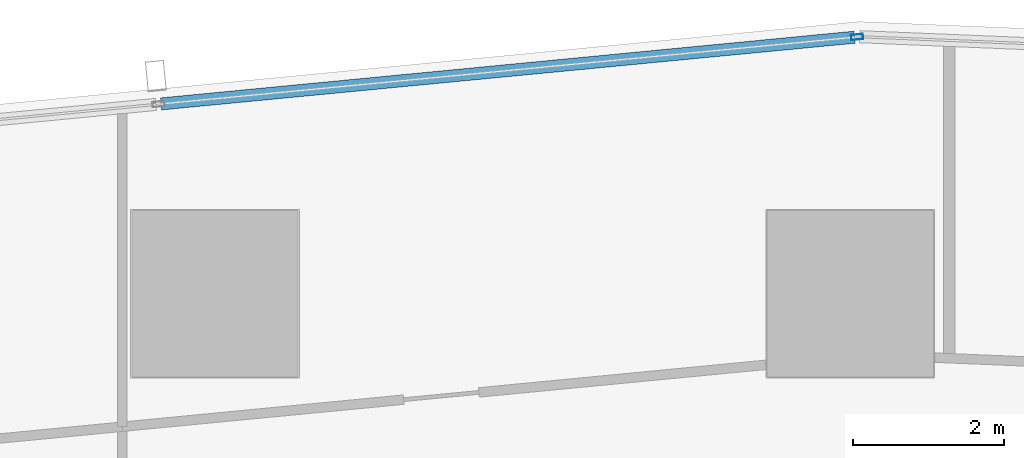
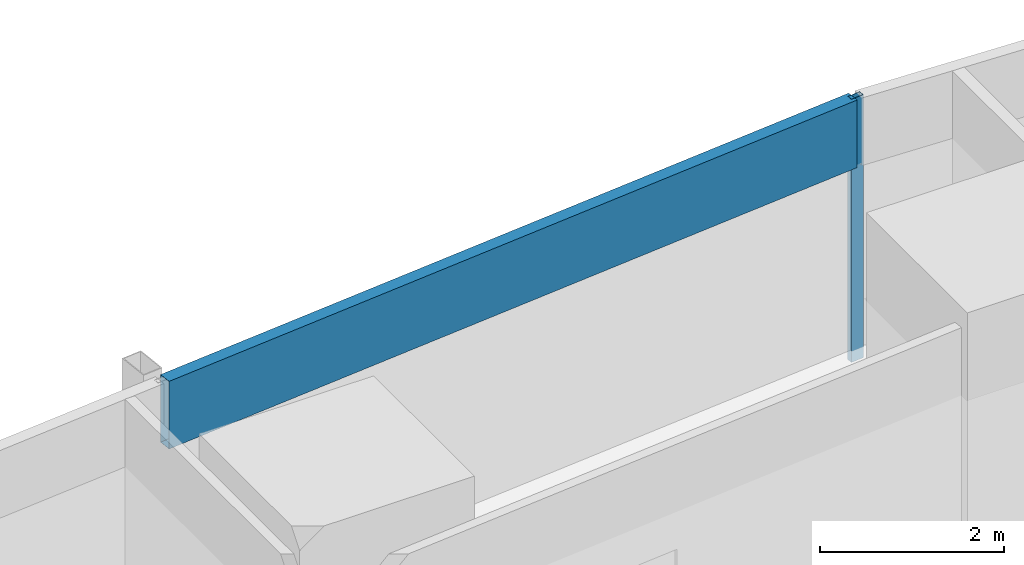
# One storey, part 17 of 45: 2 members, 1 element without a shape of its own.
"""IFC4 building model written with IfcOpenShell, lengths in metres."""

import ifcopenshell
import ifcopenshell.guid

model = None  # the IFC model being written
_history = None  # IfcOwnerHistory: only IFC2X3 demands one
_inside = {}  # id of a spatial element -> (the spatial element, [elements in it])
_under = {}  # id of a project, library or spatial element -> (it, [spatial elements below it])
_declared = {}  # id of a project -> (the project, [libraries it declares])
_typed = {}  # id of a type object -> (the type object, [elements of that type])
_made_of = {}  # id of a material, layer set ... -> (it, [elements and type objects made of it])


def new_model(schema):
    """Start an empty IFC model of exactly this schema.

    Asked for "IFC4X3", IfcOpenShell would pick the latest addendum, in which some entities
    have other attributes; the version numbers below select the first issue.
    IFC2X3 requires an IfcOwnerHistory on every rooted entity: one is made here for all.
    """
    global model, _history
    if schema == "IFC4X3":
        model = ifcopenshell.file(schema_version=(4, 3, 0, 0))
    else:
        model = ifcopenshell.file(schema=schema)
    _inside.clear()
    _under.clear()
    _declared.clear()
    _typed.clear()
    _made_of.clear()
    _history = None
    if model.schema == "IFC2X3":
        org = make("IfcOrganization", Name="unknown")
        user = make(
            "IfcPersonAndOrganization",
            ThePerson=make("IfcPerson", FamilyName="unknown"),
            TheOrganization=org,
        )
        app = make(
            "IfcApplication",
            ApplicationDeveloper=org,
            Version="unknown",
            ApplicationFullName="unknown",
            ApplicationIdentifier="unknown",
        )
        _history = make(
            "IfcOwnerHistory",
            OwningUser=user,
            OwningApplication=app,
            ChangeAction="ADDED",
            CreationDate=0,
        )
    return model


def make(cls, **values):
    """One entity of the class cls with the attributes given. An attribute that is None is left unset."""
    return model.create_entity(
        cls, **{name: value for name, value in values.items() if value is not None}
    )


def rooted(cls, **values):
    """An entity with a GlobalId (a new one), such as an element, a storey or a relation."""
    return make(cls, GlobalId=ifcopenshell.guid.new(), OwnerHistory=_history, **values)


def si_unit(unit_type, name, prefix=None):
    """IfcSIUnit, for example si_unit("LENGTHUNIT", "METRE", prefix="MILLI")."""
    return make("IfcSIUnit", UnitType=unit_type, Prefix=prefix, Name=name)


def assignment(units):
    """IfcUnitAssignment: the units of a project."""
    return None if units is None else make("IfcUnitAssignment", Units=units)


def point(xyz):
    """IfcCartesianPoint."""
    return None if xyz is None else make("IfcCartesianPoint", Coordinates=xyz)


def direction(xyz):
    """IfcDirection."""
    return None if xyz is None else make("IfcDirection", DirectionRatios=xyz)


def frame(location, z_axis=None, x_axis=None):
    """IfcAxis2Placement3D, a coordinate frame: its origin and axes. An axis left out is left unset."""
    return make(
        "IfcAxis2Placement3D",
        Location=point(location),
        Axis=direction(z_axis),
        RefDirection=direction(x_axis),
    )


def frame_2d(location, x_axis=None):
    """IfcAxis2Placement2D, a coordinate frame in the plane: its origin and x axis."""
    return make(
        "IfcAxis2Placement2D", Location=point(location), RefDirection=direction(x_axis)
    )


def origin():
    """The frame at (0, 0, 0) with its axes left unset."""
    return frame((0.0, 0.0, 0.0))


def origin_2d():
    """The frame at (0, 0) in the plane with its x axis left unset."""
    return frame_2d((0.0, 0.0))


def place(relative_to, where):
    """IfcLocalPlacement: puts the frame where relative to a parent placement (None: the world)."""
    return make(
        "IfcLocalPlacement", PlacementRelTo=relative_to, RelativePlacement=where
    )


def context(
    kind, dimensions, precision=None, world=None, true_north=None, identifier=None
):
    """IfcGeometricRepresentationContext, for example the 3D "Model" context."""
    return make(
        "IfcGeometricRepresentationContext",
        ContextIdentifier=identifier,
        ContextType=kind,
        CoordinateSpaceDimension=dimensions,
        Precision=precision,
        WorldCoordinateSystem=world,
        TrueNorth=true_north,
    )


def subcontext(parent, identifier, kind, view, scale=None):
    """IfcGeometricRepresentationSubContext, for example "Body" below "Model"."""
    return make(
        "IfcGeometricRepresentationSubContext",
        ContextIdentifier=identifier,
        ContextType=kind,
        ParentContext=parent,
        TargetScale=scale,
        TargetView=view,
    )


def project(units=None, contexts=None):
    """IfcProject with its units and contexts."""
    return rooted(
        "IfcProject",
        Name="project",
        RepresentationContexts=contexts,
        UnitsInContext=assignment(units),
    )


def spatial(cls, under=None, at=None, **own):
    """A site, building, storey or space (cls), placed at a placement, below another one or the project."""
    s = rooted(cls, ObjectPlacement=at, **own)
    if under is not None:
        _under.setdefault(under.id(), (under, []))[1].append(s)
    return s


def profile(cls, at=None, kind="AREA", **sizes):
    """A parametric profile (cls). Its sizes go by their IFC names, for example OverallWidth=200.0."""
    return make(cls, ProfileType=kind, Position=at, **sizes)


def hollow_rectangle(**sizes):
    """IfcRectangleHollowProfileDef."""
    return profile("IfcRectangleHollowProfileDef", **sizes)


def extrude(swept, where, along, depth):
    """IfcExtrudedAreaSolid: the profile swept, set in the frame where, extruded along a direction by depth."""
    return make(
        "IfcExtrudedAreaSolid",
        SweptArea=swept,
        Position=where,
        ExtrudedDirection=direction(along),
        Depth=depth,
    )


def shape(context_of_items, identifier, shape_type, items):
    """IfcShapeRepresentation: the items that make up one representation, for example the "Body"."""
    return make(
        "IfcShapeRepresentation",
        ContextOfItems=context_of_items,
        RepresentationIdentifier=identifier,
        RepresentationType=shape_type,
        Items=items,
    )


def material(Name=None, Category=None):
    """IfcMaterial."""
    return make("IfcMaterial", Name=Name, Category=Category)


def material_profile(
    of_material, cross_section, Name=None, Category=None, Priority=None
):
    """IfcMaterialProfile: a cross section and its material."""
    return make(
        "IfcMaterialProfile",
        Name=Name,
        Material=of_material,
        Profile=cross_section,
        Priority=Priority,
        Category=Category,
    )


def profile_set(profiles, Name=None, composite=None):
    """IfcMaterialProfileSet."""
    return make(
        "IfcMaterialProfileSet",
        Name=Name,
        MaterialProfiles=profiles,
        CompositeProfile=composite,
    )


def made_of(thing, what):
    """Note that an element or type object is made of a material, layer set ...; save() writes the relation."""
    if what is not None:
        _made_of.setdefault(what.id(), (what, []))[1].append(thing)
    return thing


def type_object(cls, material=None, **own):
    """A type object (cls), such as IfcWallType, which elements share."""
    return made_of(rooted(cls, **own), material)


def element(
    cls,
    number,
    at=None,
    inside=None,
    cuts=None,
    type_object=None,
    material=None,
    context=None,
    identifier="Body",
    shape_type=None,
    held_by="IfcProductDefinitionShape",
    body=None,
    shapes=None,
    **own,
):
    """One element of the class cls, such as IfcWall. Its Tag is "e" and its number.

    at: its placement. inside: the storey or other place that contains it. cuts: it is an
    opening in that element (IfcRelVoidsElement). A single representation is given by context,
    identifier, shape_type and body (its items); several are given by shapes. held_by: the class
    of the entity that holds the representations. save() writes the other relations.
    """
    e = rooted(cls, Tag="e%d" % number, ObjectPlacement=at, **own)
    if body is not None:
        shapes = [shape(context, identifier, shape_type, body)]
    if shapes is not None:
        e.Representation = make(held_by, Representations=shapes)
    if inside is not None:
        _inside.setdefault(inside.id(), (inside, []))[1].append(e)
    if cuts is not None:
        rooted(
            "IfcRelVoidsElement", RelatingBuildingElement=cuts, RelatedOpeningElement=e
        )
    if type_object is not None:
        _typed.setdefault(type_object.id(), (type_object, []))[1].append(e)
    return made_of(e, material)


def aggregate(whole, parts):
    """IfcRelAggregates: a whole, such as a stair, and the parts it consists of."""
    return rooted("IfcRelAggregates", RelatingObject=whole, RelatedObjects=parts)


def save(model, path):
    """Write the relations noted so far, then the file.

    IfcRelAggregates (storeys below a building ...), IfcRelContainedInSpatialStructure (elements
    in a storey), IfcRelDefinesByType, IfcRelAssociatesMaterial and IfcRelDeclares: one each for
    every whole, place, type object, material and project.
    """
    for whole, parts in _under.values():
        aggregate(whole, parts)
    for where, things in _inside.values():
        rooted(
            "IfcRelContainedInSpatialStructure",
            RelatedElements=things,
            RelatingStructure=where,
        )
    for kind, things in _typed.values():
        rooted("IfcRelDefinesByType", RelatedObjects=things, RelatingType=kind)
    for what, things in _made_of.values():
        rooted("IfcRelAssociatesMaterial", RelatedObjects=things, RelatingMaterial=what)
    for by, libraries in _declared.values():
        rooted("IfcRelDeclares", RelatingContext=by, RelatedDefinitions=libraries)
    model.write(path)


model = new_model("IFC4")

# Units and contexts
model_context = context("Model", 3, precision=1e-05, world=origin(), true_north=direction((0.0, 1.0)))
body_context = subcontext(model_context, "Body", "Model", "MODEL_VIEW")
ifc_project = project(units=[si_unit("LENGTHUNIT", "METRE"), si_unit("AREAUNIT", "SQUARE_METRE"), si_unit("VOLUMEUNIT", "CUBIC_METRE"), si_unit("PLANEANGLEUNIT", "RADIAN"), si_unit("MASSUNIT", "GRAM", prefix="KILO")], contexts=[model_context])

# Site, building, storey
site_placement = place(None, origin())
site = spatial("IfcSite", under=ifc_project, at=site_placement, CompositionType="ELEMENT")
building_placement = place(site_placement, origin())
building = spatial("IfcBuilding", under=site, at=building_placement, Name="Rekha Terrace Tower", CompositionType="ELEMENT")
storey_placement = place(building_placement, frame((0.0, 0.0, 44.14990234375)))
storey = spatial("IfcBuildingStorey", under=building, at=storey_placement, Name="L10", CompositionType="ELEMENT", Elevation=44.14990234375)

# Curtain wall, members
ifc_material_1 = material(Name="Aluminium framing", Category="aluminium")
curtain_wall_type = type_object("IfcCurtainWallType", Name="CW3 north unitised glazing", PredefinedType="USERDEFINED", material=ifc_material_1)
curtain_wall_placement = place(storey_placement, origin())
curtain_wall = element("IfcCurtainWall", 1, at=curtain_wall_placement, inside=storey, type_object=curtain_wall_type, Name="CW3 unitised curtain wall", ObjectType="UNITISED CURTAIN WALL", PredefinedType="USERDEFINED")
ifc_material_2 = material(Name="Aluminium mullion section", Category="aluminium")
ifc_material_profile_1 = material_profile(ifc_material_2, hollow_rectangle(XDim=0.070068359375, YDim=0.159912109375, WallThickness=0.00390625, at=origin_2d()), Name="AL RHS 70x160")
ifc_profile_set_1 = profile_set([ifc_material_profile_1], Name="Aluminium mullion section")
member_type_1 = type_object("IfcMemberType", Name="CW3 mullion RHS 70 x 160", PredefinedType="MULLION", material=ifc_profile_set_1)
member_1_placement = place(storey_placement, frame((25.29052734375, 62.1962890625, 0.0), z_axis=(0.0, 0.0, 1.0), x_axis=(0.095712406625, -0.995409029102, 0.0)))
member_1 = element("IfcMember", 2, at=member_1_placement, type_object=member_type_1, Name="CW3 mullion 1", PredefinedType="MULLION", context=body_context, shape_type="SweptSolid", body=[
    extrude(hollow_rectangle(XDim=0.070068359375, YDim=0.159912109375, WallThickness=0.00390625, at=origin_2d()), origin(), (0.0, 0.0, 1.0), 3.5),
])
ifc_material_3 = material(Name="Insulated aluminium spandrel box", Category="aluminium")
ifc_material_profile_2 = material_profile(ifc_material_3, hollow_rectangle(XDim=0.159912109375, YDim=0.89990234375, WallThickness=0.0029296875, at=origin_2d()), Name="AL SPANDREL BOX 160x900")
ifc_profile_set_2 = profile_set([ifc_material_profile_2], Name="Insulated aluminium spandrel box")
member_type_2 = type_object("IfcMemberType", Name="CW3 spandrel transom 160 x 900", PredefinedType="USERDEFINED", material=ifc_profile_set_2)
member_2_placement = place(storey_placement, frame((25.255859375, 62.19287109375, 3.050048828125), z_axis=(-0.995408446287, -0.095718467713, 0.0), x_axis=(0.095718467713, -0.995408446287, 0.0)))
member_2 = element("IfcMember", 3, at=member_2_placement, type_object=member_type_2, Name="CW3 spandrel transom 1", ObjectType="TRANSOM", PredefinedType="USERDEFINED", context=body_context, shape_type="SweptSolid", body=[
    extrude(hollow_rectangle(XDim=0.159912109375, YDim=0.89990234375, WallThickness=0.0029296875, at=origin_2d()), origin(), (0.0, 0.0, 1.0), 9.210205078125),
])
aggregate(curtain_wall, [member_1, member_2])

save(model, "model.ifc")
